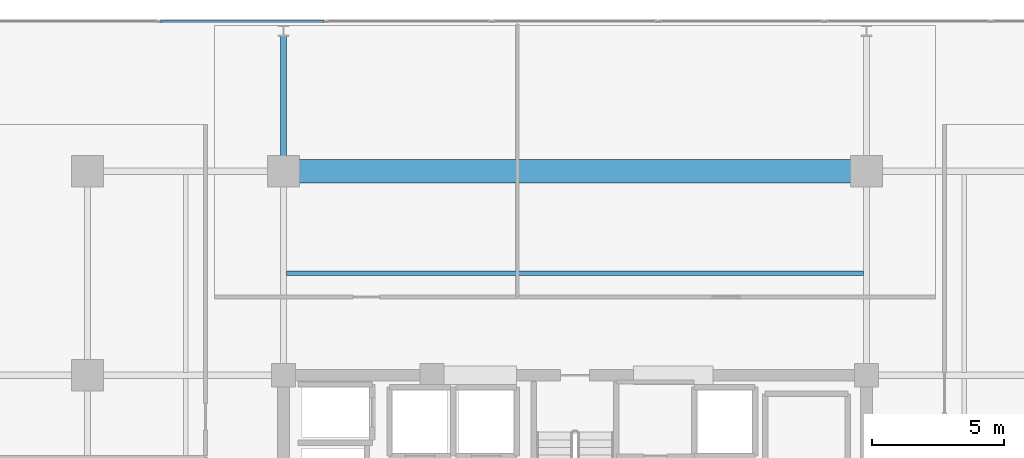
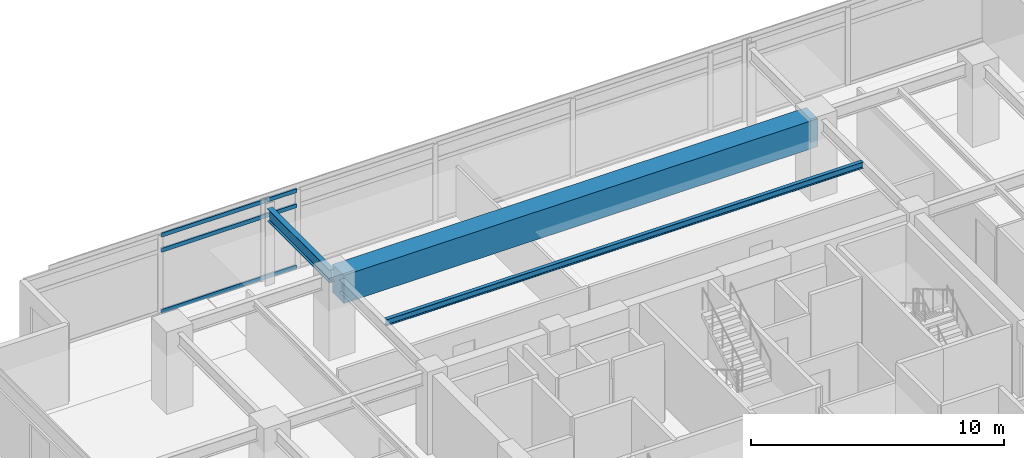
# One storey, part 9 of 21: 3 beams, 3 members, 1 element without a shape of its own.
"""IFC4 building model written with IfcOpenShell, lengths in metres."""

from ifc_helpers import new_model, si_unit, direction, frame, origin, origin_2d, place, context, subcontext, project, spatial, rectangle, hollow_rectangle, i_section, extrude, material, material_profile, profile_set, type_object, element, aggregate, save


model = new_model("IFC4")

# Units and contexts
model_context = context("Model", 3, precision=1e-05, world=origin(), true_north=direction((0.0, 1.0)))
body_context = subcontext(model_context, "Body", "Model", "MODEL_VIEW")
ifc_project = project(units=[si_unit("LENGTHUNIT", "METRE"), si_unit("AREAUNIT", "SQUARE_METRE"), si_unit("VOLUMEUNIT", "CUBIC_METRE"), si_unit("PLANEANGLEUNIT", "RADIAN"), si_unit("MASSUNIT", "GRAM", prefix="KILO")], contexts=[model_context])

# Site, building, storey
site_placement = place(None, origin())
site = spatial("IfcSite", under=ifc_project, at=site_placement, CompositionType="ELEMENT")
building_placement = place(site_placement, origin())
building = spatial("IfcBuilding", under=site, at=building_placement, Name="Kovane Verandah Tower", CompositionType="ELEMENT")
storey_placement = place(building_placement, frame((0.0, 0.0, 275.199951171875)))
storey = spatial("IfcBuildingStorey", under=building, at=storey_placement, Name="L64", CompositionType="ELEMENT", Elevation=275.199951171875)

# Beams
ifc_material_1 = material(Name="Concrete C80/95", Category="concrete")
ifc_material_profile_1 = material_profile(ifc_material_1, rectangle(XDim=0.89990234375, YDim=1.35009765625, at=origin_2d()), Name="RCB900x1350")
ifc_profile_set_1 = profile_set([ifc_material_profile_1], Name="Concrete C80/95")
beam_type_1 = type_object("IfcBeamType", Name="BM-TR-900x1350", PredefinedType="BEAM", material=ifc_profile_set_1)
beam_1_placement = place(storey_placement, frame((29.179931640625, 44.199951171875, 3.110107421875), z_axis=(1.0, 0.0, 0.0), x_axis=(0.0, 1.0, 0.0)))
element("IfcBeam", 1, at=beam_1_placement, inside=storey, type_object=beam_type_1, Name="L64 Primary Tower Girder G-RN2", PredefinedType="BEAM", context=body_context, shape_type="SweptSolid", body=[
    extrude(rectangle(XDim=0.89990234375, YDim=1.35009765625, at=origin_2d()), origin(), (0.0, 0.0, 1.0), 21.64013671875),
])
ifc_material_2 = material(Name="Steel S355", Category="steel")
ifc_material_profile_2 = material_profile(ifc_material_2, i_section(OverallWidth=0.230224609375, OverallDepth=0.6171875, WebThickness=0.01318359375, FlangeThickness=0.022216796875, FilletRadius=0.0126953125, at=origin_2d()), Name="UB610x229x140")
ifc_profile_set_2 = profile_set([ifc_material_profile_2], Name="Steel S355")
beam_type_2 = type_object("IfcBeamType", Name="BM-UB610x140", PredefinedType="BEAM", material=ifc_profile_set_2)
beam_2_placement = place(storey_placement, frame((29.0, 44.3798828125, 3.451416015625), z_axis=(0.0, 1.0, 0.0), x_axis=(-1.0, 0.0, 0.0)))
element("IfcBeam", 2, at=beam_2_placement, inside=storey, type_object=beam_type_2, Name="L64 Primary Tower Girder G-VN1", PredefinedType="BEAM", context=body_context, shape_type="SweptSolid", body=[
    extrude(i_section(OverallWidth=0.230224609375, OverallDepth=0.6171875, WebThickness=0.01318359375, FlangeThickness=0.022216796875, FilletRadius=0.0126953125, at=origin_2d()), origin(), (0.0, 0.0, 1.0), 4.940185546875),
])

# Curtain wall, members
ifc_material_3 = material(Name="Champagne Anodised Aluminium Frame with Low-E Clear Laminated Glass", Category="aluminium")
curtain_wall_type = type_object("IfcCurtainWallType", Name="CW-SYS-05-HIGH", PredefinedType="NOTDEFINED", material=ifc_material_3)
curtain_wall_placement = place(storey_placement, origin())
curtain_wall = element("IfcCurtainWall", 3, at=curtain_wall_placement, inside=storey, type_object=curtain_wall_type, Name="L64 N Unitised Curtain Wall", PredefinedType="NOTDEFINED")
ifc_material_4 = material(Name="Champagne Anodised Aluminium 6063-T6", Category="aluminium")
ifc_material_profile_3 = material_profile(ifc_material_4, hollow_rectangle(XDim=0.0849609375, YDim=0.18994140625, WallThickness=0.00390625, at=origin_2d()), Name="AL85x190x4")
ifc_profile_set_3 = profile_set([ifc_material_profile_3], Name="Champagne Anodised Aluminium 6063-T6")
member_type = type_object("IfcMemberType", Name="CW-TRN-85x190", PredefinedType="USERDEFINED", material=ifc_profile_set_3)
member_1_placement = place(storey_placement, frame((30.53466796875, 49.860107421875, 0.050048828125), z_axis=(-1.0, 0.0, 0.0), x_axis=(0.0, -1.0, 0.0)))
member_1 = element("IfcMember", 4, at=member_1_placement, type_object=member_type, Name="L64 N Unitised Curtain Wall Transom TB Bay 6", ObjectType="TRANSOM", PredefinedType="USERDEFINED", context=body_context, shape_type="SweptSolid", body=[
    extrude(hollow_rectangle(XDim=0.0849609375, YDim=0.18994140625, WallThickness=0.00390625, at=origin_2d()), origin(), (0.0, 0.0, 1.0), 6.177001953125),
])
member_2_placement = place(storey_placement, frame((30.53466796875, 49.860107421875, 3.005126953125), z_axis=(-1.0, 0.0, 0.0), x_axis=(0.0, -1.0, 0.0)))
member_2 = element("IfcMember", 5, at=member_2_placement, type_object=member_type, Name="L64 N Unitised Curtain Wall Transom TM Bay 6", ObjectType="TRANSOM", PredefinedType="USERDEFINED", context=body_context, shape_type="SweptSolid", body=[
    extrude(hollow_rectangle(XDim=0.0849609375, YDim=0.18994140625, WallThickness=0.00390625, at=origin_2d()), origin(), (0.0, 0.0, 1.0), 6.177001953125),
])
member_3_placement = place(storey_placement, frame((30.53466796875, 49.860107421875, 3.735107421875), z_axis=(-1.0, 0.0, 0.0), x_axis=(0.0, -1.0, 0.0)))
member_3 = element("IfcMember", 6, at=member_3_placement, type_object=member_type, Name="L64 N Unitised Curtain Wall Transom TT Bay 6", ObjectType="TRANSOM", PredefinedType="USERDEFINED", context=body_context, shape_type="SweptSolid", body=[
    extrude(hollow_rectangle(XDim=0.0849609375, YDim=0.18994140625, WallThickness=0.00390625, at=origin_2d()), origin(), (0.0, 0.0, 1.0), 6.177001953125),
])
aggregate(curtain_wall, [member_1, member_2, member_3])

# Beam
ifc_material_profile_4 = material_profile(ifc_material_2, i_section(OverallWidth=0.1669921875, OverallDepth=0.310302734375, WebThickness=0.0078125, FlangeThickness=0.013671875, FilletRadius=0.0087890625, at=origin_2d()), Name="UB305x165x54")
ifc_profile_set_4 = profile_set([ifc_material_profile_4], Name="Steel S355")
beam_type_3 = type_object("IfcBeamType", Name="JST-UB305x54", PredefinedType="JOIST", material=ifc_profile_set_4)
beam_3_placement = place(storey_placement, frame((29.113037109375, 40.35009765625, 3.6298828125), z_axis=(1.0, 0.0, 0.0), x_axis=(0.0, 1.0, 0.0)))
element("IfcBeam", 7, at=beam_3_placement, inside=storey, type_object=beam_type_3, Name="L64 Secondary Composite Joist J-N1", PredefinedType="JOIST", context=body_context, shape_type="SweptSolid", body=[
    extrude(i_section(OverallWidth=0.1669921875, OverallDepth=0.310302734375, WebThickness=0.0078125, FlangeThickness=0.013671875, FilletRadius=0.0087890625, at=origin_2d()), origin(), (0.0, 0.0, 1.0), 21.77392578125),
])

save(model, "model.ifc")
